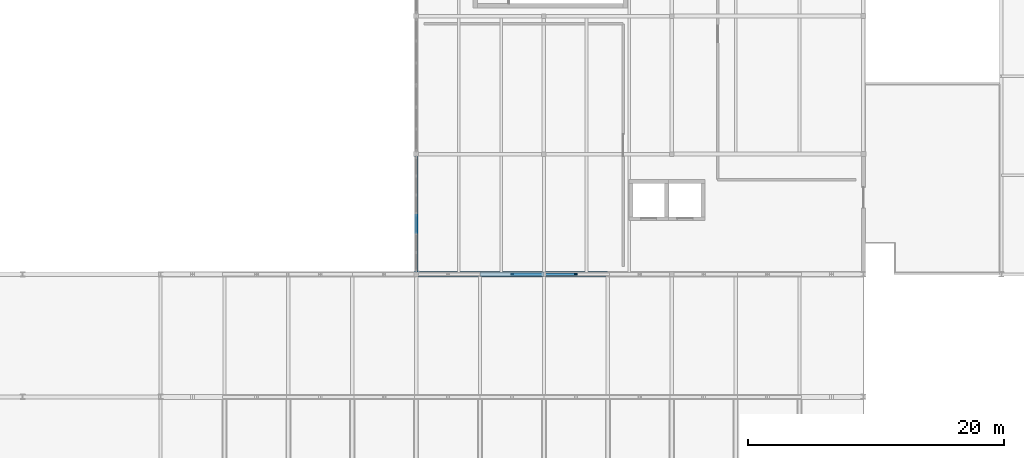
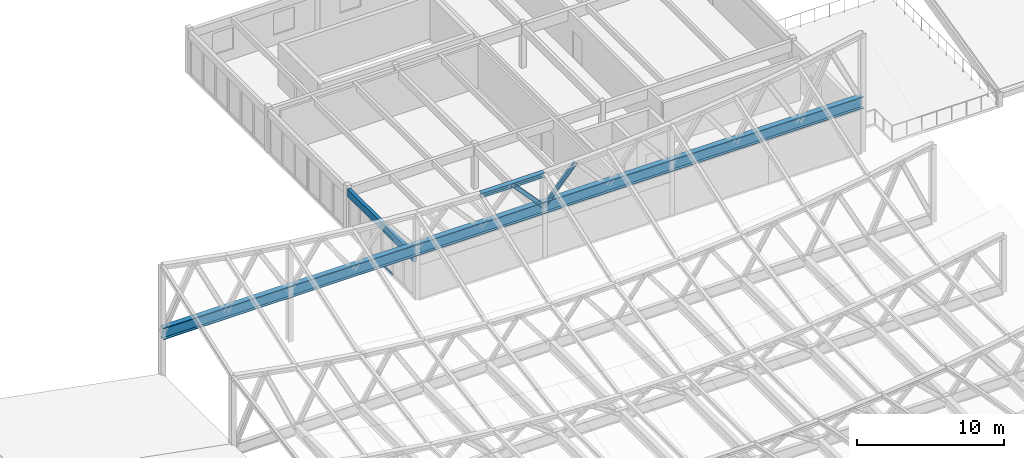
# One storey, part 13 of 40: 5 members, 2 beams, 2 elements without a shape of their own.
"""IFC4 building model written with IfcOpenShell, lengths in metres."""

import ifcopenshell
import ifcopenshell.guid

model = None  # the IFC model being written
_history = None  # IfcOwnerHistory: only IFC2X3 demands one
_inside = {}  # id of a spatial element -> (the spatial element, [elements in it])
_under = {}  # id of a project, library or spatial element -> (it, [spatial elements below it])
_declared = {}  # id of a project -> (the project, [libraries it declares])
_typed = {}  # id of a type object -> (the type object, [elements of that type])
_made_of = {}  # id of a material, layer set ... -> (it, [elements and type objects made of it])


def new_model(schema):
    """Start an empty IFC model of exactly this schema.

    Asked for "IFC4X3", IfcOpenShell would pick the latest addendum, in which some entities
    have other attributes; the version numbers below select the first issue.
    IFC2X3 requires an IfcOwnerHistory on every rooted entity: one is made here for all.
    """
    global model, _history
    if schema == "IFC4X3":
        model = ifcopenshell.file(schema_version=(4, 3, 0, 0))
    else:
        model = ifcopenshell.file(schema=schema)
    _inside.clear()
    _under.clear()
    _declared.clear()
    _typed.clear()
    _made_of.clear()
    _history = None
    if model.schema == "IFC2X3":
        org = make("IfcOrganization", Name="unknown")
        user = make(
            "IfcPersonAndOrganization",
            ThePerson=make("IfcPerson", FamilyName="unknown"),
            TheOrganization=org,
        )
        app = make(
            "IfcApplication",
            ApplicationDeveloper=org,
            Version="unknown",
            ApplicationFullName="unknown",
            ApplicationIdentifier="unknown",
        )
        _history = make(
            "IfcOwnerHistory",
            OwningUser=user,
            OwningApplication=app,
            ChangeAction="ADDED",
            CreationDate=0,
        )
    return model


def make(cls, **values):
    """One entity of the class cls with the attributes given. An attribute that is None is left unset."""
    return model.create_entity(
        cls, **{name: value for name, value in values.items() if value is not None}
    )


def rooted(cls, **values):
    """An entity with a GlobalId (a new one), such as an element, a storey or a relation."""
    return make(cls, GlobalId=ifcopenshell.guid.new(), OwnerHistory=_history, **values)


def si_unit(unit_type, name, prefix=None):
    """IfcSIUnit, for example si_unit("LENGTHUNIT", "METRE", prefix="MILLI")."""
    return make("IfcSIUnit", UnitType=unit_type, Prefix=prefix, Name=name)


def assignment(units):
    """IfcUnitAssignment: the units of a project."""
    return None if units is None else make("IfcUnitAssignment", Units=units)


def point(xyz):
    """IfcCartesianPoint."""
    return None if xyz is None else make("IfcCartesianPoint", Coordinates=xyz)


def direction(xyz):
    """IfcDirection."""
    return None if xyz is None else make("IfcDirection", DirectionRatios=xyz)


def frame(location, z_axis=None, x_axis=None):
    """IfcAxis2Placement3D, a coordinate frame: its origin and axes. An axis left out is left unset."""
    return make(
        "IfcAxis2Placement3D",
        Location=point(location),
        Axis=direction(z_axis),
        RefDirection=direction(x_axis),
    )


def frame_2d(location, x_axis=None):
    """IfcAxis2Placement2D, a coordinate frame in the plane: its origin and x axis."""
    return make(
        "IfcAxis2Placement2D", Location=point(location), RefDirection=direction(x_axis)
    )


def origin():
    """The frame at (0, 0, 0) with its axes left unset."""
    return frame((0.0, 0.0, 0.0))


def origin_2d():
    """The frame at (0, 0) in the plane with its x axis left unset."""
    return frame_2d((0.0, 0.0))


def place(relative_to, where):
    """IfcLocalPlacement: puts the frame where relative to a parent placement (None: the world)."""
    return make(
        "IfcLocalPlacement", PlacementRelTo=relative_to, RelativePlacement=where
    )


def context(
    kind, dimensions, precision=None, world=None, true_north=None, identifier=None
):
    """IfcGeometricRepresentationContext, for example the 3D "Model" context."""
    return make(
        "IfcGeometricRepresentationContext",
        ContextIdentifier=identifier,
        ContextType=kind,
        CoordinateSpaceDimension=dimensions,
        Precision=precision,
        WorldCoordinateSystem=world,
        TrueNorth=true_north,
    )


def subcontext(parent, identifier, kind, view, scale=None):
    """IfcGeometricRepresentationSubContext, for example "Body" below "Model"."""
    return make(
        "IfcGeometricRepresentationSubContext",
        ContextIdentifier=identifier,
        ContextType=kind,
        ParentContext=parent,
        TargetScale=scale,
        TargetView=view,
    )


def project(units=None, contexts=None):
    """IfcProject with its units and contexts."""
    return rooted(
        "IfcProject",
        Name="project",
        RepresentationContexts=contexts,
        UnitsInContext=assignment(units),
    )


def spatial(cls, under=None, at=None, **own):
    """A site, building, storey or space (cls), placed at a placement, below another one or the project."""
    s = rooted(cls, ObjectPlacement=at, **own)
    if under is not None:
        _under.setdefault(under.id(), (under, []))[1].append(s)
    return s


def profile(cls, at=None, kind="AREA", **sizes):
    """A parametric profile (cls). Its sizes go by their IFC names, for example OverallWidth=200.0."""
    return make(cls, ProfileType=kind, Position=at, **sizes)


def rectangle(**sizes):
    """IfcRectangleProfileDef."""
    return profile("IfcRectangleProfileDef", **sizes)


def i_section(**sizes):
    """IfcIShapeProfileDef."""
    return profile("IfcIShapeProfileDef", **sizes)


def extrude(swept, where, along, depth):
    """IfcExtrudedAreaSolid: the profile swept, set in the frame where, extruded along a direction by depth."""
    return make(
        "IfcExtrudedAreaSolid",
        SweptArea=swept,
        Position=where,
        ExtrudedDirection=direction(along),
        Depth=depth,
    )


def shape(context_of_items, identifier, shape_type, items):
    """IfcShapeRepresentation: the items that make up one representation, for example the "Body"."""
    return make(
        "IfcShapeRepresentation",
        ContextOfItems=context_of_items,
        RepresentationIdentifier=identifier,
        RepresentationType=shape_type,
        Items=items,
    )


def material(Name=None, Category=None):
    """IfcMaterial."""
    return make("IfcMaterial", Name=Name, Category=Category)


def material_profile(
    of_material, cross_section, Name=None, Category=None, Priority=None
):
    """IfcMaterialProfile: a cross section and its material."""
    return make(
        "IfcMaterialProfile",
        Name=Name,
        Material=of_material,
        Profile=cross_section,
        Priority=Priority,
        Category=Category,
    )


def profile_set(profiles, Name=None, composite=None):
    """IfcMaterialProfileSet."""
    return make(
        "IfcMaterialProfileSet",
        Name=Name,
        MaterialProfiles=profiles,
        CompositeProfile=composite,
    )


def made_of(thing, what):
    """Note that an element or type object is made of a material, layer set ...; save() writes the relation."""
    if what is not None:
        _made_of.setdefault(what.id(), (what, []))[1].append(thing)
    return thing


def type_object(cls, material=None, **own):
    """A type object (cls), such as IfcWallType, which elements share."""
    return made_of(rooted(cls, **own), material)


def element(
    cls,
    number,
    at=None,
    inside=None,
    cuts=None,
    type_object=None,
    material=None,
    context=None,
    identifier="Body",
    shape_type=None,
    held_by="IfcProductDefinitionShape",
    body=None,
    shapes=None,
    **own,
):
    """One element of the class cls, such as IfcWall. Its Tag is "e" and its number.

    at: its placement. inside: the storey or other place that contains it. cuts: it is an
    opening in that element (IfcRelVoidsElement). A single representation is given by context,
    identifier, shape_type and body (its items); several are given by shapes. held_by: the class
    of the entity that holds the representations. save() writes the other relations.
    """
    e = rooted(cls, Tag="e%d" % number, ObjectPlacement=at, **own)
    if body is not None:
        shapes = [shape(context, identifier, shape_type, body)]
    if shapes is not None:
        e.Representation = make(held_by, Representations=shapes)
    if inside is not None:
        _inside.setdefault(inside.id(), (inside, []))[1].append(e)
    if cuts is not None:
        rooted(
            "IfcRelVoidsElement", RelatingBuildingElement=cuts, RelatedOpeningElement=e
        )
    if type_object is not None:
        _typed.setdefault(type_object.id(), (type_object, []))[1].append(e)
    return made_of(e, material)


def aggregate(whole, parts):
    """IfcRelAggregates: a whole, such as a stair, and the parts it consists of."""
    return rooted("IfcRelAggregates", RelatingObject=whole, RelatedObjects=parts)


def save(model, path):
    """Write the relations noted so far, then the file.

    IfcRelAggregates (storeys below a building ...), IfcRelContainedInSpatialStructure (elements
    in a storey), IfcRelDefinesByType, IfcRelAssociatesMaterial and IfcRelDeclares: one each for
    every whole, place, type object, material and project.
    """
    for whole, parts in _under.values():
        aggregate(whole, parts)
    for where, things in _inside.values():
        rooted(
            "IfcRelContainedInSpatialStructure",
            RelatedElements=things,
            RelatingStructure=where,
        )
    for kind, things in _typed.values():
        rooted("IfcRelDefinesByType", RelatedObjects=things, RelatingType=kind)
    for what, things in _made_of.values():
        rooted("IfcRelAssociatesMaterial", RelatedObjects=things, RelatingMaterial=what)
    for by, libraries in _declared.values():
        rooted("IfcRelDeclares", RelatingContext=by, RelatedDefinitions=libraries)
    model.write(path)


model = new_model("IFC4")

# Units and contexts
model_context = context("Model", 3, precision=1e-05, world=origin(), true_north=direction((0.0, 1.0)))
body_context = subcontext(model_context, "Body", "Model", "MODEL_VIEW")
ifc_project = project(units=[si_unit("LENGTHUNIT", "METRE"), si_unit("AREAUNIT", "SQUARE_METRE"), si_unit("VOLUMEUNIT", "CUBIC_METRE"), si_unit("PLANEANGLEUNIT", "RADIAN"), si_unit("MASSUNIT", "GRAM", prefix="KILO")], contexts=[model_context])

# Site, building, storey
site_placement = place(None, origin())
site = spatial("IfcSite", under=ifc_project, at=site_placement, CompositionType="ELEMENT")
building_placement = place(site_placement, origin())
building = spatial("IfcBuilding", under=site, at=building_placement, Name="Veldera Park Congress Hotel", CompositionType="ELEMENT")
storey_placement = place(building_placement, frame((0.0, 0.0, 16.199951171875)))
storey = spatial("IfcBuildingStorey", under=building, at=storey_placement, Name="L03", CompositionType="ELEMENT", Elevation=16.199951171875)

# Beams
ifc_material_1 = material(Name="Glulam GL28h (NDS 24F-V4)", Category="wood")
ifc_material_profile_1 = material_profile(ifc_material_1, rectangle(XDim=0.264892578125, YDim=0.6201171875, at=origin_2d()), Name="GL28h 265x620")
ifc_profile_set_1 = profile_set([ifc_material_profile_1], Name="Glulam GL28h (NDS 24F-V4)")
beam_type_1 = type_object("IfcBeamType", Name="BM-GL620", PredefinedType="BEAM", material=ifc_profile_set_1)
beam_1_placement = place(storey_placement, frame((-47.39990234375, 27.179931640625, 3.25), z_axis=(0.0, 1.0, 0.0), x_axis=(-1.0, 0.0, 0.0)))
element("IfcBeam", 1, at=beam_1_placement, inside=storey, type_object=beam_type_1, Name="L03 Girder BM-GL620 1139", PredefinedType="BEAM", context=body_context, shape_type="SweptSolid", body=[
    extrude(rectangle(XDim=0.264892578125, YDim=0.6201171875, at=origin_2d()), origin(), (0.0, 0.0, 1.0), 9.025146484375),
])
ifc_material_2 = material(Name="Steel ASTM A992 Gr.50", Category="steel")
ifc_material_profile_2 = material_profile(ifc_material_2, i_section(OverallWidth=0.423095703125, OverallDepth=0.965087890625, WebThickness=0.02392578125, FlangeThickness=0.042724609375, at=origin_2d()), Name="W36X302")
ifc_profile_set_2 = profile_set([ifc_material_profile_2], Name="Steel ASTM A992 Gr.50")
beam_type_2 = type_object("IfcBeamType", Name="BM-W36E", PredefinedType="BEAM", material=ifc_profile_set_2)
beam_2_placement = place(storey_placement, frame((-67.39990234375, 27.0, 4.150146484375), z_axis=(1.0, 0.0, 0.0), x_axis=(0.0, 1.0, 0.0)))
element("IfcBeam", 2, at=beam_2_placement, inside=storey, type_object=beam_type_2, Name="Plenary Space Frame Main Bottom Tie Girder 6", PredefinedType="BEAM", context=body_context, shape_type="SweptSolid", body=[
    extrude(i_section(OverallWidth=0.423095703125, OverallDepth=0.965087890625, WebThickness=0.02392578125, FlangeThickness=0.042724609375, at=origin_2d()), origin(), (0.0, 0.0, 1.0), 55.0),
])

# Curtain wall, members
ifc_material_3 = material(Name="Low-E Triple Insulating Glass Unit (SHGC 0.22)", Category="glass")
curtain_wall_type = type_object("IfcCurtainWallType", Name="CW-CON", PredefinedType="NOTDEFINED", material=ifc_material_3)
curtain_wall_placement = place(storey_placement, origin())
curtain_wall = element("IfcCurtainWall", 3, at=curtain_wall_placement, inside=storey, type_object=curtain_wall_type, Name="L03 Curtain Wall CW3-NWW-L03-084", PredefinedType="NOTDEFINED")
ifc_material_4 = material(Name="Anodised Aluminium Alloy 6063-T6", Category="aluminium")
ifc_material_profile_3 = material_profile(ifc_material_4, rectangle(XDim=0.074951171875, YDim=0.14990234375, at=origin_2d()), Name="ALU 75x150")
ifc_profile_set_3 = profile_set([ifc_material_profile_3], Name="Anodised Aluminium Alloy 6063-T6")
member_type_1 = type_object("IfcMemberType", Name="CWT-150", PredefinedType="USERDEFINED", material=ifc_profile_set_3)
member_1_placement = place(storey_placement, frame((-47.39990234375, 31.6025390625, 0.03759765625), z_axis=(0.0, -1.0, 0.0), x_axis=(1.0, 0.0, 0.0)))
member_1 = element("IfcMember", 4, at=member_1_placement, type_object=member_type_1, Name="CW-CON transom 1.1", ObjectType="TRANSOM", PredefinedType="USERDEFINED", context=body_context, shape_type="SweptSolid", body=[
    extrude(rectangle(XDim=0.074951171875, YDim=0.14990234375, at=origin_2d()), origin(), (0.0, 0.0, 1.0), 1.373291015625),
])
member_2_placement = place(storey_placement, frame((-47.39990234375, 31.6025390625, 2.8974609375), z_axis=(0.0, -1.0, 0.0), x_axis=(1.0, 0.0, 0.0)))
member_2 = element("IfcMember", 5, at=member_2_placement, type_object=member_type_1, Name="CW-CON transom 1.2", ObjectType="TRANSOM", PredefinedType="USERDEFINED", context=body_context, shape_type="SweptSolid", body=[
    extrude(rectangle(XDim=0.074951171875, YDim=0.14990234375, at=origin_2d()), origin(), (0.0, 0.0, 1.0), 1.373291015625),
])
aggregate(curtain_wall, [member_1, member_2])

# Roof, members
ifc_material_5 = material(Name="Cross-laminated timber CLT V2M1.1", Category="wood")
roof_type = type_object("IfcRoofType", Name="ROOF-PAV", PredefinedType="PAVILION_ROOF", material=ifc_material_5)
roof_placement = place(storey_placement, origin())
roof = element("IfcRoof", 6, at=roof_placement, inside=storey, type_object=roof_type, Name="Plenary Congress Pavilion Sweeping Space Frame Roof", PredefinedType="PAVILION_ROOF")
ifc_material_profile_4 = material_profile(ifc_material_2, i_section(OverallWidth=0.3740234375, OverallDepth=0.3720703125, WebThickness=0.016357421875, FlangeThickness=0.026123046875, at=origin_2d()), Name="W14X132")
ifc_profile_set_4 = profile_set([ifc_material_profile_4], Name="Steel ASTM A992 Gr.50")
member_type_2 = type_object("IfcMemberType", Name="TR-CHD132", PredefinedType="CHORD", material=ifc_profile_set_4)
member_3_placement = place(storey_placement, frame((-42.39990234375, 27.0, 6.86376953125), z_axis=(0.999999731779, 0.0, 0.000732421679), x_axis=(0.0, 1.0, 0.0)))
member_3 = element("IfcMember", 7, at=member_3_placement, type_object=member_type_2, Name="Plenary Roof Space Frame Top Chord 61", PredefinedType="CHORD", context=body_context, shape_type="SweptSolid", body=[
    extrude(i_section(OverallWidth=0.3740234375, OverallDepth=0.3720703125, WebThickness=0.016357421875, FlangeThickness=0.026123046875, at=origin_2d()), origin(), (0.0, 0.0, 1.0), 5.0),
])
ifc_material_profile_5 = material_profile(ifc_material_2, i_section(OverallWidth=0.205078125, OverallDepth=0.31005859375, WebThickness=0.009521484375, FlangeThickness=0.016357421875, at=origin_2d()), Name="W12X50")
ifc_profile_set_5 = profile_set([ifc_material_profile_5], Name="Steel ASTM A992 Gr.50")
member_type_3 = type_object("IfcMemberType", Name="TR-WEB50", PredefinedType="MEMBER", material=ifc_profile_set_5)
member_4_placement = place(storey_placement, frame((-37.39990234375, 27.0, 4.150146484375), z_axis=(-0.677301519425, 0.0, 0.73570554693), x_axis=(0.0, -1.0, 0.0)))
member_4 = element("IfcMember", 8, at=member_4_placement, type_object=member_type_3, Name="Plenary Roof Space Frame Web B 61", PredefinedType="MEMBER", context=body_context, shape_type="SweptSolid", body=[
    extrude(i_section(OverallWidth=0.205078125, OverallDepth=0.31005859375, WebThickness=0.009521484375, FlangeThickness=0.016357421875, at=origin_2d()), origin(), (0.0, 0.0, 1.0), 3.691162109375),
])
member_5_placement = place(storey_placement, frame((-37.39990234375, 27.0, 4.150146484375), z_axis=(0.664202782863, 0.0, 0.747552448486), x_axis=(0.0, 1.0, 0.0)))
member_5 = element("IfcMember", 9, at=member_5_placement, type_object=member_type_3, Name="Plenary Roof Space Frame Web A 62", PredefinedType="MEMBER", context=body_context, shape_type="SweptSolid", body=[
    extrude(i_section(OverallWidth=0.205078125, OverallDepth=0.31005859375, WebThickness=0.009521484375, FlangeThickness=0.016357421875, at=origin_2d()), origin(), (0.0, 0.0, 1.0), 3.763916015625),
])
aggregate(roof, [member_4, member_3, member_5])

save(model, "model.ifc")
